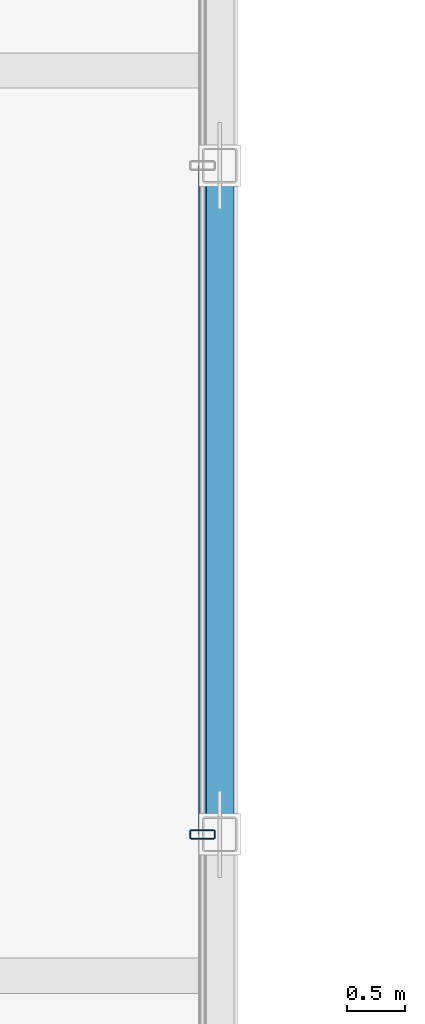
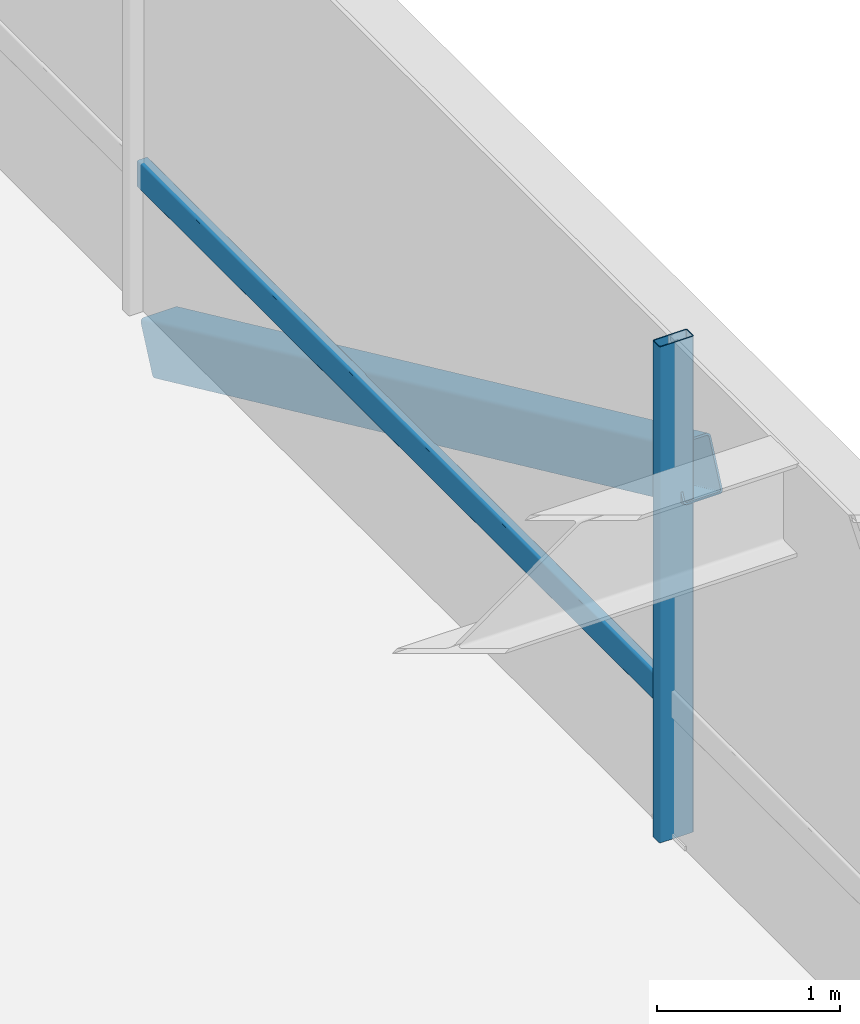
# One storey, part 10 of 36: 3 members, 1 element without a shape of its own.
"""IFC4 building model written with IfcOpenShell, lengths in metres."""

from ifc_helpers import new_model, si_unit, direction, frame, origin, origin_2d, place, context, subcontext, project, spatial, hollow_rectangle, extrude, material, layer, layer_set, material_profile, profile_set, type_object, element, aggregate, save


model = new_model("IFC4")

# Units and contexts
model_context = context("Model", 3, precision=1e-05, world=origin(), true_north=direction((0.0, 1.0)))
body_context = subcontext(model_context, "Body", "Model", "MODEL_VIEW")
ifc_project = project(units=[si_unit("LENGTHUNIT", "METRE"), si_unit("AREAUNIT", "SQUARE_METRE"), si_unit("VOLUMEUNIT", "CUBIC_METRE"), si_unit("PLANEANGLEUNIT", "RADIAN"), si_unit("MASSUNIT", "GRAM", prefix="KILO")], contexts=[model_context])

# Site, building, storey
site_placement = place(None, origin())
site = spatial("IfcSite", under=ifc_project, at=site_placement, CompositionType="ELEMENT")
building_placement = place(site_placement, origin())
building = spatial("IfcBuilding", under=site, at=building_placement, Name="Korimba Cascade Residences", CompositionType="ELEMENT")
storey_placement = place(building_placement, frame((0.0, 0.0, 142.89990234375)))
storey = spatial("IfcBuildingStorey", under=building, at=storey_placement, Name="L41", CompositionType="ELEMENT", Elevation=142.89990234375)

# Curtain wall, members
ifc_material_1 = material(Name="Anodised Aluminium Curtain Wall Framing", Category="aluminium")
ifc_layer = layer(ifc_material_1, 0.179931640625)
ifc_layer_set = layer_set([ifc_layer], Name="Anodised Aluminium Curtain Wall Framing")
curtain_wall_type = type_object("IfcCurtainWallType", Name="CW-BRG-SYS3", PredefinedType="NOTDEFINED", material=ifc_layer_set)
curtain_wall_placement = place(storey_placement, origin())
curtain_wall = element("IfcCurtainWall", 1, at=curtain_wall_placement, inside=storey, type_object=curtain_wall_type, Name="L41 Curtain Wall CW-L41-BRG-E", PredefinedType="NOTDEFINED")
ifc_material_2 = material(Name="Anodised Aluminium Mullion", Category="aluminium")
ifc_material_profile_1 = material_profile(ifc_material_2, hollow_rectangle(XDim=0.080078125, YDim=0.219970703125, WallThickness=0.00634765625, InnerFilletRadius=0.00634765625, OuterFilletRadius=0.0126953125, at=origin_2d()), Name="Anodised Aluminium Mullion")
ifc_profile_set_1 = profile_set([ifc_material_profile_1], Name="Anodised Aluminium Mullion")
member_type_1 = type_object("IfcMemberType", Name="CWM-MUL-220", PredefinedType="MULLION", material=ifc_profile_set_1)
member_1_placement = place(storey_placement, frame((111.949951171875, 38.89990234375, 0.0), z_axis=(0.0, 0.0, 1.0), x_axis=(0.0, 1.0, 0.0)))
member_1 = element("IfcMember", 2, at=member_1_placement, type_object=member_type_1, Name="CW-L41-BRG-E Mullion 2", PredefinedType="MULLION", context=body_context, shape_type="SweptSolid", body=[
    extrude(hollow_rectangle(XDim=0.080078125, YDim=0.219970703125, WallThickness=0.00634765625, InnerFilletRadius=0.00634765625, OuterFilletRadius=0.0126953125, at=origin_2d()), origin(), (0.0, 0.0, 1.0), 3.31005859375),
])
ifc_material_3 = material(Name="Anodised Aluminium Transom", Category="aluminium")
ifc_material_profile_2 = material_profile(ifc_material_3, hollow_rectangle(XDim=0.070068359375, YDim=0.179931640625, WallThickness=0.0048828125, InnerFilletRadius=0.0048828125, OuterFilletRadius=0.010009765625, at=origin_2d()), Name="Anodised Aluminium Transom")
ifc_profile_set_2 = profile_set([ifc_material_profile_2], Name="Anodised Aluminium Transom")
member_type_2 = type_object("IfcMemberType", Name="CWM-TRN-150", PredefinedType="USERDEFINED", material=ifc_profile_set_2)
member_2_placement = place(storey_placement, frame((111.949951171875, 38.89990234375, 0.900146484375), z_axis=(0.0, 1.0, 0.0), x_axis=(-1.0, 0.0, 0.0)))
member_2 = element("IfcMember", 3, at=member_2_placement, type_object=member_type_2, Name="CW-L41-BRG-E Transom 2", ObjectType="TRANSOM", PredefinedType="USERDEFINED", context=body_context, shape_type="SweptSolid", body=[
    extrude(hollow_rectangle(XDim=0.070068359375, YDim=0.179931640625, WallThickness=0.0048828125, InnerFilletRadius=0.0048828125, OuterFilletRadius=0.010009765625, at=origin_2d()), origin(), (0.0, 0.0, 1.0), 5.800048828125),
])
aggregate(curtain_wall, [member_1, member_2])

# Member
ifc_material_4 = material(Name="Steel S460", Category="steel")
ifc_material_profile_3 = material_profile(ifc_material_4, hollow_rectangle(XDim=0.25, YDim=0.35009765625, WallThickness=0.012451171875, InnerFilletRadius=0.012451171875, OuterFilletRadius=0.02490234375, at=origin_2d()), Name="Steel S460")
ifc_profile_set_3 = profile_set([ifc_material_profile_3], Name="Steel S460")
member_type_3 = type_object("IfcMemberType", Name="MEM-BRG-SHS350", PredefinedType="BRACE", material=ifc_profile_set_3)
member_3_placement = place(storey_placement, frame((112.10009765625, 38.89990234375, 2.383544921875), z_axis=(0.0, 0.9081740859, -0.418592677552), x_axis=(-1.0, 0.0, 0.0)))
element("IfcMember", 4, at=member_3_placement, inside=storey, type_object=member_type_3, Name="L41 Mid-Bridge Warren Diagonal E2", PredefinedType="BRACE", context=body_context, shape_type="SweptSolid", body=[
    extrude(hollow_rectangle(XDim=0.25, YDim=0.35009765625, WallThickness=0.012451171875, InnerFilletRadius=0.012451171875, OuterFilletRadius=0.02490234375, at=origin_2d()), origin(), (0.0, 0.0, 1.0), 6.386474609375),
])

save(model, "model.ifc")
